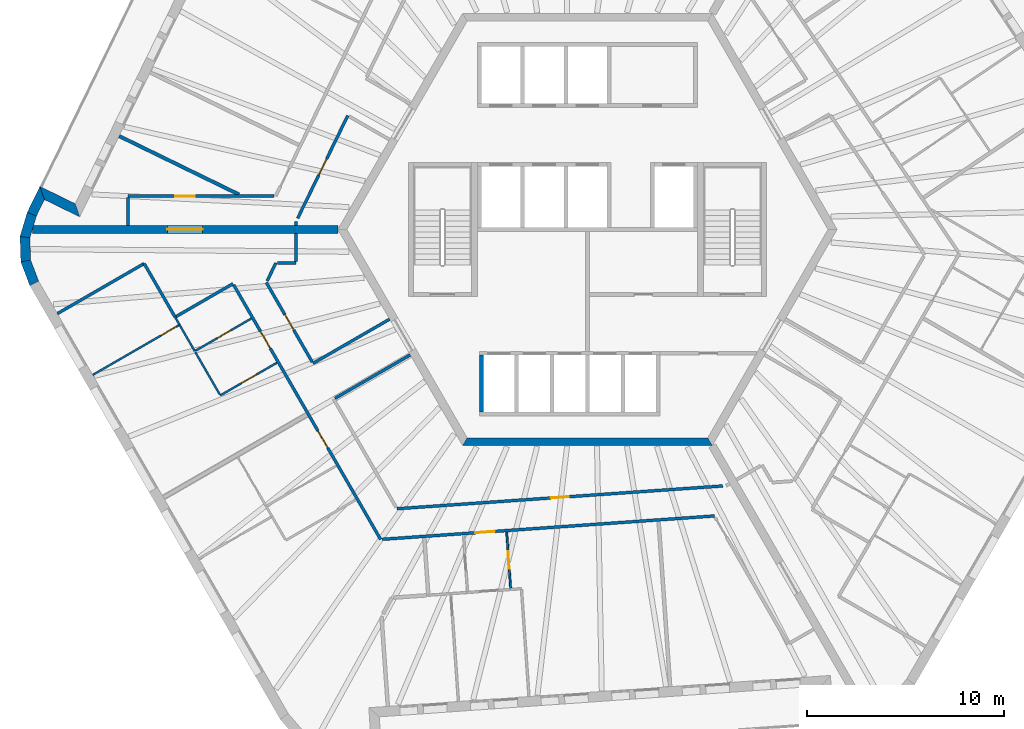
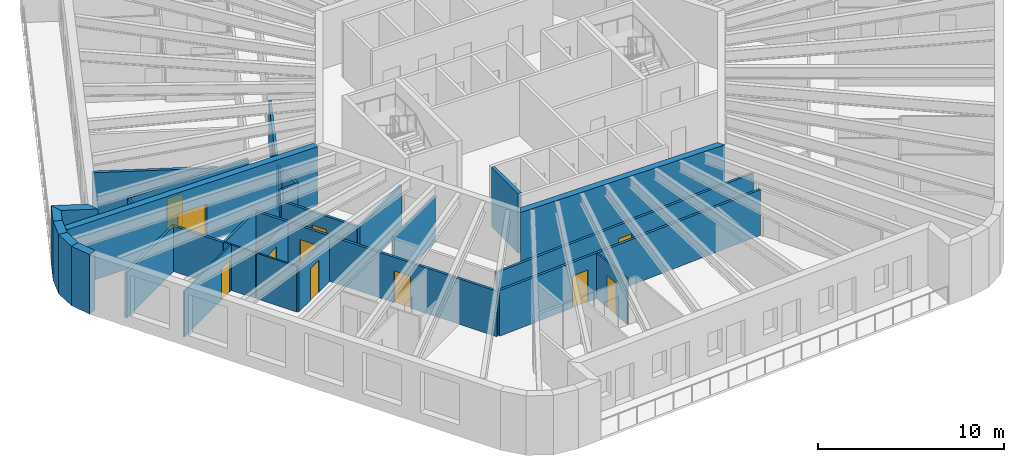
# One storey, part 4 of 12: 32 walls, 12 doors, 12 openings.
"""IFC4 building model written with IfcOpenShell, lengths in metres."""

import ifcopenshell
import ifcopenshell.guid

model = None  # the IFC model being written
_history = None  # IfcOwnerHistory: only IFC2X3 demands one
_inside = {}  # id of a spatial element -> (the spatial element, [elements in it])
_under = {}  # id of a project, library or spatial element -> (it, [spatial elements below it])
_declared = {}  # id of a project -> (the project, [libraries it declares])
_typed = {}  # id of a type object -> (the type object, [elements of that type])
_made_of = {}  # id of a material, layer set ... -> (it, [elements and type objects made of it])


def new_model(schema):
    """Start an empty IFC model of exactly this schema.

    Asked for "IFC4X3", IfcOpenShell would pick the latest addendum, in which some entities
    have other attributes; the version numbers below select the first issue.
    IFC2X3 requires an IfcOwnerHistory on every rooted entity: one is made here for all.
    """
    global model, _history
    if schema == "IFC4X3":
        model = ifcopenshell.file(schema_version=(4, 3, 0, 0))
    else:
        model = ifcopenshell.file(schema=schema)
    _inside.clear()
    _under.clear()
    _declared.clear()
    _typed.clear()
    _made_of.clear()
    _history = None
    if model.schema == "IFC2X3":
        org = make("IfcOrganization", Name="unknown")
        user = make(
            "IfcPersonAndOrganization",
            ThePerson=make("IfcPerson", FamilyName="unknown"),
            TheOrganization=org,
        )
        app = make(
            "IfcApplication",
            ApplicationDeveloper=org,
            Version="unknown",
            ApplicationFullName="unknown",
            ApplicationIdentifier="unknown",
        )
        _history = make(
            "IfcOwnerHistory",
            OwningUser=user,
            OwningApplication=app,
            ChangeAction="ADDED",
            CreationDate=0,
        )
    return model


def make(cls, **values):
    """One entity of the class cls with the attributes given. An attribute that is None is left unset."""
    return model.create_entity(
        cls, **{name: value for name, value in values.items() if value is not None}
    )


def rooted(cls, **values):
    """An entity with a GlobalId (a new one), such as an element, a storey or a relation."""
    return make(cls, GlobalId=ifcopenshell.guid.new(), OwnerHistory=_history, **values)


def si_unit(unit_type, name, prefix=None):
    """IfcSIUnit, for example si_unit("LENGTHUNIT", "METRE", prefix="MILLI")."""
    return make("IfcSIUnit", UnitType=unit_type, Prefix=prefix, Name=name)


def assignment(units):
    """IfcUnitAssignment: the units of a project."""
    return None if units is None else make("IfcUnitAssignment", Units=units)


def point(xyz):
    """IfcCartesianPoint."""
    return None if xyz is None else make("IfcCartesianPoint", Coordinates=xyz)


def direction(xyz):
    """IfcDirection."""
    return None if xyz is None else make("IfcDirection", DirectionRatios=xyz)


def frame(location, z_axis=None, x_axis=None):
    """IfcAxis2Placement3D, a coordinate frame: its origin and axes. An axis left out is left unset."""
    return make(
        "IfcAxis2Placement3D",
        Location=point(location),
        Axis=direction(z_axis),
        RefDirection=direction(x_axis),
    )


def frame_2d(location, x_axis=None):
    """IfcAxis2Placement2D, a coordinate frame in the plane: its origin and x axis."""
    return make(
        "IfcAxis2Placement2D", Location=point(location), RefDirection=direction(x_axis)
    )


def origin():
    """The frame at (0, 0, 0) with its axes left unset."""
    return frame((0.0, 0.0, 0.0))


def place(relative_to, where):
    """IfcLocalPlacement: puts the frame where relative to a parent placement (None: the world)."""
    return make(
        "IfcLocalPlacement", PlacementRelTo=relative_to, RelativePlacement=where
    )


def context(
    kind, dimensions, precision=None, world=None, true_north=None, identifier=None
):
    """IfcGeometricRepresentationContext, for example the 3D "Model" context."""
    return make(
        "IfcGeometricRepresentationContext",
        ContextIdentifier=identifier,
        ContextType=kind,
        CoordinateSpaceDimension=dimensions,
        Precision=precision,
        WorldCoordinateSystem=world,
        TrueNorth=true_north,
    )


def subcontext(parent, identifier, kind, view, scale=None):
    """IfcGeometricRepresentationSubContext, for example "Body" below "Model"."""
    return make(
        "IfcGeometricRepresentationSubContext",
        ContextIdentifier=identifier,
        ContextType=kind,
        ParentContext=parent,
        TargetScale=scale,
        TargetView=view,
    )


def project(units=None, contexts=None):
    """IfcProject with its units and contexts."""
    return rooted(
        "IfcProject",
        Name="project",
        RepresentationContexts=contexts,
        UnitsInContext=assignment(units),
    )


def spatial(cls, under=None, at=None, **own):
    """A site, building, storey or space (cls), placed at a placement, below another one or the project."""
    s = rooted(cls, ObjectPlacement=at, **own)
    if under is not None:
        _under.setdefault(under.id(), (under, []))[1].append(s)
    return s


def polyline(points):
    """IfcPolyline through the points."""
    return make("IfcPolyline", Points=[point(p) for p in points])


def profile(cls, at=None, kind="AREA", **sizes):
    """A parametric profile (cls). Its sizes go by their IFC names, for example OverallWidth=200.0."""
    return make(cls, ProfileType=kind, Position=at, **sizes)


def rectangle(**sizes):
    """IfcRectangleProfileDef."""
    return profile("IfcRectangleProfileDef", **sizes)


def outline(outer, holes=None, kind="AREA"):
    """IfcArbitraryClosedProfileDef: a profile drawn as a closed curve; with holes, ...WithVoids."""
    if holes is None:
        return make("IfcArbitraryClosedProfileDef", ProfileType=kind, OuterCurve=outer)
    return make(
        "IfcArbitraryProfileDefWithVoids",
        ProfileType=kind,
        OuterCurve=outer,
        InnerCurves=holes,
    )


def extrude(swept, where, along, depth):
    """IfcExtrudedAreaSolid: the profile swept, set in the frame where, extruded along a direction by depth."""
    return make(
        "IfcExtrudedAreaSolid",
        SweptArea=swept,
        Position=where,
        ExtrudedDirection=direction(along),
        Depth=depth,
    )


def shape(context_of_items, identifier, shape_type, items):
    """IfcShapeRepresentation: the items that make up one representation, for example the "Body"."""
    return make(
        "IfcShapeRepresentation",
        ContextOfItems=context_of_items,
        RepresentationIdentifier=identifier,
        RepresentationType=shape_type,
        Items=items,
    )


def material(Name=None, Category=None):
    """IfcMaterial."""
    return make("IfcMaterial", Name=Name, Category=Category)


def layer(
    of_material, thickness, ventilated=None, Name=None, Category=None, Priority=None
):
    """IfcMaterialLayer: one layer of a wall or slab, of a material (None: an air gap)."""
    return make(
        "IfcMaterialLayer",
        Material=of_material,
        LayerThickness=thickness,
        IsVentilated=ventilated,
        Name=Name,
        Category=Category,
        Priority=Priority,
    )


def layer_set(layers, Name=None):
    """IfcMaterialLayerSet."""
    return make("IfcMaterialLayerSet", MaterialLayers=layers, LayerSetName=Name)


def made_of(thing, what):
    """Note that an element or type object is made of a material, layer set ...; save() writes the relation."""
    if what is not None:
        _made_of.setdefault(what.id(), (what, []))[1].append(thing)
    return thing


def type_object(cls, material=None, **own):
    """A type object (cls), such as IfcWallType, which elements share."""
    return made_of(rooted(cls, **own), material)


def element(
    cls,
    number,
    at=None,
    inside=None,
    cuts=None,
    type_object=None,
    material=None,
    context=None,
    identifier="Body",
    shape_type=None,
    held_by="IfcProductDefinitionShape",
    body=None,
    shapes=None,
    **own,
):
    """One element of the class cls, such as IfcWall. Its Tag is "e" and its number.

    at: its placement. inside: the storey or other place that contains it. cuts: it is an
    opening in that element (IfcRelVoidsElement). A single representation is given by context,
    identifier, shape_type and body (its items); several are given by shapes. held_by: the class
    of the entity that holds the representations. save() writes the other relations.
    """
    e = rooted(cls, Tag="e%d" % number, ObjectPlacement=at, **own)
    if body is not None:
        shapes = [shape(context, identifier, shape_type, body)]
    if shapes is not None:
        e.Representation = make(held_by, Representations=shapes)
    if inside is not None:
        _inside.setdefault(inside.id(), (inside, []))[1].append(e)
    if cuts is not None:
        rooted(
            "IfcRelVoidsElement", RelatingBuildingElement=cuts, RelatedOpeningElement=e
        )
    if type_object is not None:
        _typed.setdefault(type_object.id(), (type_object, []))[1].append(e)
    return made_of(e, material)


def fill(opening, filler):
    """IfcRelFillsElement: the door or window that sits in an opening."""
    return rooted(
        "IfcRelFillsElement",
        RelatingOpeningElement=opening,
        RelatedBuildingElement=filler,
    )


def aggregate(whole, parts):
    """IfcRelAggregates: a whole, such as a stair, and the parts it consists of."""
    return rooted("IfcRelAggregates", RelatingObject=whole, RelatedObjects=parts)


def save(model, path):
    """Write the relations noted so far, then the file.

    IfcRelAggregates (storeys below a building ...), IfcRelContainedInSpatialStructure (elements
    in a storey), IfcRelDefinesByType, IfcRelAssociatesMaterial and IfcRelDeclares: one each for
    every whole, place, type object, material and project.
    """
    for whole, parts in _under.values():
        aggregate(whole, parts)
    for where, things in _inside.values():
        rooted(
            "IfcRelContainedInSpatialStructure",
            RelatedElements=things,
            RelatingStructure=where,
        )
    for kind, things in _typed.values():
        rooted("IfcRelDefinesByType", RelatedObjects=things, RelatingType=kind)
    for what, things in _made_of.values():
        rooted("IfcRelAssociatesMaterial", RelatedObjects=things, RelatingMaterial=what)
    for by, libraries in _declared.values():
        rooted("IfcRelDeclares", RelatingContext=by, RelatedDefinitions=libraries)
    model.write(path)


model = new_model("IFC4")

# Units and contexts
model_context = context("Model", 3, precision=1e-05, world=origin(), true_north=direction((0.0, 1.0)))
body_context = subcontext(model_context, "Body", "Model", "MODEL_VIEW")
ifc_project = project(units=[si_unit("LENGTHUNIT", "METRE"), si_unit("AREAUNIT", "SQUARE_METRE"), si_unit("VOLUMEUNIT", "CUBIC_METRE"), si_unit("PLANEANGLEUNIT", "RADIAN"), si_unit("MASSUNIT", "GRAM", prefix="KILO")], contexts=[model_context])

# Site, building, storey
site_placement = place(None, origin())
site = spatial("IfcSite", under=ifc_project, at=site_placement, CompositionType="ELEMENT")
building_placement = place(site_placement, origin())
building = spatial("IfcBuilding", under=site, at=building_placement, Name="Tarnside Tower", CompositionType="ELEMENT")
storey_placement = place(building_placement, frame((0.0, 0.0, 299.10009765625)))
storey = spatial("IfcBuildingStorey", under=building, at=storey_placement, Name="L72", CompositionType="ELEMENT", Elevation=299.10009765625)

# Wall
ifc_material_1 = material(Name="Gypsum board partition on steel studs", Category="steel")
ifc_layer_1 = layer(ifc_material_1, 0.10009765625)
ifc_layer_set_1 = layer_set([ifc_layer_1], Name="Bathroom wall 100")
wall_type_1 = type_object("IfcWallType", Name="Bathroom wall 100", PredefinedType="PARTITIONING", material=ifc_layer_set_1)
wall_1_placement = place(storey_placement, frame((-19.980224609375, -6.193115234375, 0.0), z_axis=(0.0, 0.0, 1.0), x_axis=(-0.500067724834, 0.865986299303, 0.0)))
element("IfcWall", 1, at=wall_1_placement, inside=storey, type_object=wall_type_1, Name="Bathroom wall 23114", PredefinedType="PARTITIONING", context=body_context, shape_type="SweptSolid", body=[
    extrude(rectangle(XDim=1.550537109375, YDim=0.10009765625, at=frame_2d((0.775390625, 0.0))), origin(), (0.0, 0.0, 1.0), 2.98779296875),
])

# Wall, opening, door
wall_2_placement = place(storey_placement, frame((-17.1005859375, -4.53076171875, 0.0), z_axis=(0.0, 0.0, 1.0), x_axis=(-0.866046559086, -0.499963356153, 0.0)))
wall_2 = element("IfcWall", 2, at=wall_2_placement, inside=storey, type_object=wall_type_1, Name="Bathroom wall 23118", PredefinedType="PARTITIONING", context=body_context, shape_type="SweptSolid", body=[
    extrude(rectangle(XDim=3.275146484375, YDim=0.10009765625, at=frame_2d((1.6376953125, 0.0))), origin(), (0.0, 0.0, 1.0), 2.98779296875),
])
opening_1_placement = place(wall_2_placement, frame((1.22509765625, 0.0, 0.0)))
opening_1 = element("IfcOpeningElement", 3, at=opening_1_placement, cuts=wall_2, Name="Opening D-B1", PredefinedType="OPENING", context=body_context, shape_type="SweptSolid", body=[
    extrude(rectangle(XDim=0.800048828125, YDim=2.10009765625, at=frame_2d((0.39990234375, 1.050048828125))), frame((0.0, 0.06005859375, 0.0), z_axis=(0.0, -1.0, 0.0), x_axis=(1.0, 0.0, 0.0)), (0.0, 0.0, 1.0), 0.1201171875),
])
ifc_material_2 = material(Name="Timber door leaf", Category="wood")
door_type_1 = type_object("IfcDoorType", Name="Bathroom door 800", OperationType="NOTDEFINED", PredefinedType="DOOR", material=ifc_material_2)
door_1_placement = place(opening_1_placement, origin())
door_1 = element("IfcDoor", 4, at=door_1_placement, inside=storey, type_object=door_type_1, Name="Bathroom door 23023", OperationType="SINGLE_SWING_RIGHT", OverallHeight=2.10009765625, OverallWidth=0.800048828125, PredefinedType="DOOR", context=body_context, shape_type="SweptSolid", body=[
    extrude(rectangle(XDim=0.800048828125, YDim=2.10009765625, at=frame_2d((0.39990234375, 1.050048828125))), frame((0.0, 0.02490234375, 0.0), z_axis=(0.0, -1.0, 0.0), x_axis=(1.0, 0.0, 0.0)), (0.0, 0.0, 1.0), 0.050048828125),
])
fill(opening_1, door_1)

# Walls
wall_3_placement = place(storey_placement, frame((-20.981201171875, -4.45947265625, 0.0), z_axis=(0.0, 0.0, 1.0), x_axis=(0.499846793097, -0.866113839764, 0.0)))
element("IfcWall", 5, at=wall_3_placement, inside=storey, type_object=wall_type_1, Name="Bathroom wall 23119", PredefinedType="PARTITIONING", context=body_context, shape_type="SweptSolid", body=[
    extrude(rectangle(XDim=0.453369140625, YDim=0.10009765625, at=frame_2d((0.2265625, 0.0))), origin(), (0.0, 0.0, 1.0), 2.98779296875),
])
ifc_material_3 = material(Name="Concrete C60/75", Category="concrete")
ifc_layer_2 = layer(ifc_material_3, 0.39990234375)
ifc_layer_set_2 = layer_set([ifc_layer_2], Name="Core wall Z3 400 C60/75")
wall_type_2 = type_object("IfcWallType", Name="Core wall Z3 400 C60/75", PredefinedType="SHEAR", material=ifc_layer_set_2)
wall_4_placement = place(storey_placement, frame((-6.2353515625, -10.800048828125, -0.150146484375), z_axis=(0.0, 0.0, 1.0), x_axis=(1.0, 0.0, 0.0)))
element("IfcWall", 6, at=wall_4_placement, inside=storey, type_object=wall_type_2, Name="L72 core wall face 4", PredefinedType="SHEAR", context=body_context, shape_type="SweptSolid", body=[
    extrude(outline(polyline([(-0.115478515625, -0.199951171875), (12.586181640625, -0.199951171875), (12.355224609375, 0.199951171875), (0.115478515625, 0.199951171875), (-0.115478515625, -0.199951171875)])), origin(), (0.0, 0.0, 1.0), 3.900146484375),
])

# Wall, opening, door
wall_5_placement = place(storey_placement, frame((-12.70166015625, 0.0, -0.150146484375), z_axis=(0.0, 0.0, 1.0), x_axis=(-1.0, 0.0, 0.0)))
wall_5 = element("IfcWall", 7, at=wall_5_placement, inside=storey, type_object=wall_type_2, Name="L72 spine wall 2", PredefinedType="SHEAR", context=body_context, shape_type="SweptSolid", body=[
    extrude(rectangle(XDim=15.54443359375, YDim=0.39990234375, at=frame_2d((7.772216796875, 0.0))), origin(), (0.0, 0.0, 1.0), 3.900146484375),
])
opening_2_placement = place(wall_5_placement, frame((6.872314453125, 0.0, 0.14990234375)))
opening_2 = element("IfcOpeningElement", 8, at=opening_2_placement, cuts=wall_5, Name="Opening CD-SPN", PredefinedType="OPENING", context=body_context, shape_type="SweptSolid", body=[
    extrude(rectangle(XDim=1.800048828125, YDim=2.39990234375, at=frame_2d((0.89990234375, 1.199951171875))), frame((0.0, 0.2099609375, 0.0), z_axis=(0.0, -1.0, 0.0), x_axis=(1.0, 0.0, 0.0)), (0.0, 0.0, 1.0), 0.419921875),
])
ifc_material_4 = material(Name="Steel fire door", Category="steel")
door_type_2 = type_object("IfcDoorType", Name="Spine passage double door FD60 1800x2400", OperationType="NOTDEFINED", PredefinedType="DOOR", material=ifc_material_4)
door_2_placement = place(opening_2_placement, origin())
door_2 = element("IfcDoor", 9, at=door_2_placement, inside=storey, type_object=door_type_2, Name="L72 spine passage door 2", OperationType="DOUBLE_DOOR_SINGLE_SWING", OverallHeight=2.39990234375, OverallWidth=1.800048828125, PredefinedType="DOOR", context=body_context, shape_type="SweptSolid", body=[
    extrude(rectangle(XDim=1.800048828125, YDim=2.39990234375, at=frame_2d((0.89990234375, 1.199951171875))), frame((0.0, 0.02490234375, 0.0), z_axis=(0.0, -1.0, 0.0), x_axis=(1.0, 0.0, 0.0)), (0.0, 0.0, 1.0), 0.050048828125),
])
fill(opening_2, door_2)

ifc_layer_3 = layer(ifc_material_1, 0.14990234375)
ifc_layer_set_3 = layer_set([ifc_layer_3], Name="Corridor wall 150 EI 60")
wall_type_3 = type_object("IfcWallType", Name="Corridor wall 150 EI 60", PredefinedType="PARTITIONING", material=ifc_layer_set_3)
wall_6_placement = place(storey_placement, frame((-15.943359375, 1.699951171875, 0.0), z_axis=(0.0, 0.0, 1.0), x_axis=(-1.0, 0.0, 0.0)))
wall_6 = element("IfcWall", 10, at=wall_6_placement, inside=storey, type_object=wall_type_3, Name="Corridor wall 23016", PredefinedType="PARTITIONING", context=body_context, shape_type="SweptSolid", body=[
    extrude(rectangle(XDim=7.4306640625, YDim=0.14990234375, at=frame_2d((3.71533203125, 0.0))), origin(), (0.0, 0.0, 1.0), 2.98779296875),
])
opening_3_placement = place(wall_6_placement, frame((4.02978515625, 0.0, 0.0)))
opening_3 = element("IfcOpeningElement", 11, at=opening_3_placement, cuts=wall_6, Name="Opening D-E1", PredefinedType="OPENING", context=body_context, shape_type="SweptSolid", body=[
    extrude(rectangle(XDim=1.0, YDim=2.10009765625, at=frame_2d((0.5, 1.050048828125))), frame((0.0, 0.0849609375, 0.0), z_axis=(0.0, -1.0, 0.0), x_axis=(1.0, 0.0, 0.0)), (0.0, 0.0, 1.0), 0.169921875),
])
door_type_3 = type_object("IfcDoorType", Name="Unit entrance door 1000 FD30S", OperationType="NOTDEFINED", PredefinedType="DOOR", material=ifc_material_2)
door_3_placement = place(opening_3_placement, origin())
door_3 = element("IfcDoor", 12, at=door_3_placement, inside=storey, type_object=door_type_3, Name="Unit door 23021", OperationType="SINGLE_SWING_LEFT", OverallHeight=2.10009765625, OverallWidth=1.0, PredefinedType="DOOR", context=body_context, shape_type="SweptSolid", body=[
    extrude(rectangle(XDim=1.0, YDim=2.10009765625, at=frame_2d((0.5, 1.050048828125))), frame((0.0, 0.02490234375, 0.0), z_axis=(0.0, -1.0, 0.0), x_axis=(1.0, 0.0, 0.0)), (0.0, 0.0, 1.0), 0.050048828125),
])
fill(opening_3, door_3)

# Walls
wall_7_placement = place(storey_placement, frame((-23.3740234375, 1.625, 0.0), z_axis=(0.0, 0.0, 1.0), x_axis=(0.0, -1.0, 0.0)))
element("IfcWall", 13, at=wall_7_placement, inside=storey, type_object=wall_type_3, Name="Corridor wall 23018", PredefinedType="PARTITIONING", context=body_context, shape_type="SweptSolid", body=[
    extrude(rectangle(XDim=1.425048828125, YDim=0.14990234375, at=frame_2d((0.71240234375, 0.0))), origin(), (0.0, 0.0, 1.0), 2.98779296875),
])
wall_8_placement = place(storey_placement, frame((-14.820068359375, 0.199951171875, 0.0), z_axis=(0.0, 0.0, 1.0), x_axis=(0.0, 1.0, 0.0)))
element("IfcWall", 14, at=wall_8_placement, inside=storey, type_object=wall_type_3, Name="Corridor wall 23025", PredefinedType="PARTITIONING", context=body_context, shape_type="SweptSolid", body=[
    extrude(rectangle(XDim=0.210205078125, YDim=0.14990234375, at=frame_2d((0.10498046875, 0.0))), origin(), (0.0, 0.0, 1.0), 2.98779296875),
])

# Wall, opening, door
wall_9_placement = place(storey_placement, frame((-14.7451171875, 0.563720703125, 0.0), z_axis=(0.0, 0.0, 1.0), x_axis=(0.438348416625, 0.898805132185, 0.0)))
wall_9 = element("IfcWall", 15, at=wall_9_placement, inside=storey, type_object=wall_type_3, Name="Corridor wall 23026", PredefinedType="PARTITIONING", context=body_context, shape_type="SweptSolid", body=[
    extrude(rectangle(XDim=5.819580078125, YDim=0.14990234375, at=frame_2d((2.90966796875, 0.0))), origin(), (0.0, 0.0, 1.0), 2.98779296875),
])
opening_4_placement = place(wall_9_placement, frame((2.459716796875, 0.0, 0.0)))
opening_4 = element("IfcOpeningElement", 16, at=opening_4_placement, cuts=wall_9, Name="Opening D-S1", PredefinedType="OPENING", context=body_context, shape_type="SweptSolid", body=[
    extrude(rectangle(XDim=0.89990234375, YDim=2.10009765625, at=frame_2d((0.449951171875, 1.050048828125))), frame((0.0, 0.0849609375, 0.0), z_axis=(0.0, -1.0, 0.0), x_axis=(1.0, 0.0, 0.0)), (0.0, 0.0, 1.0), 0.169921875),
])
door_type_4 = type_object("IfcDoorType", Name="Service room door 900 FD30S", OperationType="NOTDEFINED", PredefinedType="DOOR", material=ifc_material_2)
door_4_placement = place(opening_4_placement, origin())
door_4 = element("IfcDoor", 17, at=door_4_placement, inside=storey, type_object=door_type_4, Name="Service door 23059", OperationType="SINGLE_SWING_RIGHT", OverallHeight=2.10009765625, OverallWidth=0.89990234375, PredefinedType="DOOR", context=body_context, shape_type="SweptSolid", body=[
    extrude(rectangle(XDim=0.89990234375, YDim=2.10009765625, at=frame_2d((0.449951171875, 1.050048828125))), frame((0.0, 0.02490234375, 0.0), z_axis=(0.0, -1.0, 0.0), x_axis=(1.0, 0.0, 0.0)), (0.0, 0.0, 1.0), 0.050048828125),
])
fill(opening_4, door_4)

# Wall, openings, doors
wall_10_placement = place(storey_placement, frame((-17.998291015625, -2.826171875, 0.0), z_axis=(0.0, 0.0, 1.0), x_axis=(0.500003306199, -0.866023494941, 0.0)))
wall_10 = element("IfcWall", 18, at=wall_10_placement, inside=storey, type_object=wall_type_3, Name="Corridor wall 23028", PredefinedType="PARTITIONING", context=body_context, shape_type="SweptSolid", body=[
    extrude(rectangle(XDim=14.94921875, YDim=0.14990234375, at=frame_2d((7.474609375, 0.0))), origin(), (0.0, 0.0, 1.0), 2.98779296875),
])
opening_5_placement = place(wall_10_placement, frame((2.72509765625, 0.0, 0.0)))
opening_5 = element("IfcOpeningElement", 19, at=opening_5_placement, cuts=wall_10, Name="Opening D-E1", PredefinedType="OPENING", context=body_context, shape_type="SweptSolid", body=[
    extrude(rectangle(XDim=1.0, YDim=2.10009765625, at=frame_2d((0.5, 1.050048828125))), frame((0.0, 0.0849609375, 0.0), z_axis=(0.0, -1.0, 0.0), x_axis=(1.0, 0.0, 0.0)), (0.0, 0.0, 1.0), 0.169921875),
])
opening_6_placement = place(wall_10_placement, frame((8.576416015625, 0.0, 0.0)))
opening_6 = element("IfcOpeningElement", 20, at=opening_6_placement, cuts=wall_10, Name="Opening D-E1", PredefinedType="OPENING", context=body_context, shape_type="SweptSolid", body=[
    extrude(rectangle(XDim=1.0, YDim=2.10009765625, at=frame_2d((0.5, 1.050048828125))), frame((0.0, 0.0849609375, 0.0), z_axis=(0.0, -1.0, 0.0), x_axis=(1.0, 0.0, 0.0)), (0.0, 0.0, 1.0), 0.169921875),
])
door_5_placement = place(opening_5_placement, origin())
door_5 = element("IfcDoor", 21, at=door_5_placement, inside=storey, type_object=door_type_3, Name="Unit door 23022", OperationType="SINGLE_SWING_RIGHT", OverallHeight=2.10009765625, OverallWidth=1.0, PredefinedType="DOOR", context=body_context, shape_type="SweptSolid", body=[
    extrude(rectangle(XDim=1.0, YDim=2.10009765625, at=frame_2d((0.5, 1.050048828125))), frame((0.0, 0.02490234375, 0.0), z_axis=(0.0, -1.0, 0.0), x_axis=(1.0, 0.0, 0.0)), (0.0, 0.0, 1.0), 0.050048828125),
])
fill(opening_5, door_5)
door_6_placement = place(opening_6_placement, origin())
door_6 = element("IfcDoor", 22, at=door_6_placement, inside=storey, type_object=door_type_3, Name="Unit door 23026", OperationType="SINGLE_SWING_RIGHT", OverallHeight=2.10009765625, OverallWidth=1.0, PredefinedType="DOOR", context=body_context, shape_type="SweptSolid", body=[
    extrude(rectangle(XDim=1.0, YDim=2.10009765625, at=frame_2d((0.5, 1.050048828125))), frame((0.0, 0.02490234375, 0.0), z_axis=(0.0, -1.0, 0.0), x_axis=(1.0, 0.0, 0.0)), (0.0, 0.0, 1.0), 0.050048828125),
])
fill(opening_6, door_6)

# Walls
wall_11_placement = place(storey_placement, frame((-20.980224609375, -4.461181640625, 0.0), z_axis=(0.0, 0.0, 1.0), x_axis=(0.866038511948, 0.499977295307, 0.0)))
element("IfcWall", 23, at=wall_11_placement, inside=storey, type_object=wall_type_3, Name="Corridor wall 23030", PredefinedType="PARTITIONING", context=body_context, shape_type="SweptSolid", body=[
    extrude(rectangle(XDim=3.400146484375, YDim=0.14990234375, at=frame_2d((1.7001953125, 0.0))), origin(), (0.0, 0.0, 1.0), 2.98779296875),
])
wall_12_placement = place(storey_placement, frame((-26.97119140625, -4.284423828125, 0.0), z_axis=(0.0, 0.0, 1.0), x_axis=(0.866024511559, 0.500001545377, 0.0)))
element("IfcWall", 24, at=wall_12_placement, inside=storey, type_object=wall_type_3, Name="Corridor wall 23032", PredefinedType="PARTITIONING", context=body_context, shape_type="SweptSolid", body=[
    extrude(rectangle(XDim=5.0986328125, YDim=0.14990234375, at=frame_2d((2.54931640625, 0.0))), origin(), (0.0, 0.0, 1.0), 2.98779296875),
])
wall_13_placement = place(storey_placement, frame((-22.553955078125, -1.735595703125, 0.0), z_axis=(0.0, 0.0, 1.0), x_axis=(0.50003099832, -0.866007506156, 0.0)))
element("IfcWall", 25, at=wall_13_placement, inside=storey, type_object=wall_type_3, Name="Corridor wall 23033", PredefinedType="PARTITIONING", context=body_context, shape_type="SweptSolid", body=[
    extrude(rectangle(XDim=3.150634765625, YDim=0.14990234375, at=frame_2d((1.5751953125, 0.0))), origin(), (0.0, 0.0, 1.0), 2.98779296875),
])

# Wall, opening, door
wall_14_placement = place(storey_placement, frame((-10.4404296875, -15.7666015625, 0.0), z_axis=(0.0, 0.0, 1.0), x_axis=(0.997534721961, 0.070174628483, 0.0)))
wall_14 = element("IfcWall", 26, at=wall_14_placement, inside=storey, type_object=wall_type_3, Name="Corridor wall 23035", PredefinedType="PARTITIONING", context=body_context, shape_type="SweptSolid", body=[
    extrude(rectangle(XDim=16.939453125, YDim=0.14990234375, at=frame_2d((8.4697265625, 0.0))), origin(), (0.0, 0.0, 1.0), 2.98779296875),
])
opening_7_placement = place(wall_14_placement, frame((4.74169921875, 0.0, 0.0)))
opening_7 = element("IfcOpeningElement", 27, at=opening_7_placement, cuts=wall_14, Name="Opening D-E1", PredefinedType="OPENING", context=body_context, shape_type="SweptSolid", body=[
    extrude(rectangle(XDim=1.0, YDim=2.10009765625, at=frame_2d((0.5, 1.050048828125))), frame((0.0, 0.0849609375, 0.0), z_axis=(0.0, -1.0, 0.0), x_axis=(1.0, 0.0, 0.0)), (0.0, 0.0, 1.0), 0.169921875),
])
door_7_placement = place(opening_7_placement, origin())
door_7 = element("IfcDoor", 28, at=door_7_placement, inside=storey, type_object=door_type_3, Name="Unit door 23031", OperationType="SINGLE_SWING_LEFT", OverallHeight=2.10009765625, OverallWidth=1.0, PredefinedType="DOOR", context=body_context, shape_type="SweptSolid", body=[
    extrude(rectangle(XDim=1.0, YDim=2.10009765625, at=frame_2d((0.5, 1.050048828125))), frame((0.0, 0.02490234375, 0.0), z_axis=(0.0, -1.0, 0.0), x_axis=(1.0, 0.0, 0.0)), (0.0, 0.0, 1.0), 0.050048828125),
])
fill(opening_7, door_7)

# Wall
wall_15_placement = place(storey_placement, frame((-10.065673828125, -4.565673828125, 0.0), z_axis=(0.0, 0.0, 1.0), x_axis=(-0.866031096941, -0.499990139034, 0.0)))
element("IfcWall", 29, at=wall_15_placement, inside=storey, type_object=wall_type_3, Name="Corridor wall 23044", PredefinedType="PARTITIONING", context=body_context, shape_type="SweptSolid", body=[
    extrude(rectangle(XDim=4.5, YDim=0.14990234375, at=frame_2d((2.25, 0.0))), origin(), (0.0, 0.0, 1.0), 2.98779296875),
])

# Wall, opening, door
wall_16_placement = place(storey_placement, frame((-14.000244140625, -6.750732421875, 0.0), z_axis=(0.0, 0.0, 1.0), x_axis=(-0.500008739126, 0.866020358189, 0.0)))
wall_16 = element("IfcWall", 30, at=wall_16_placement, inside=storey, type_object=wall_type_3, Name="Corridor wall 23045", PredefinedType="PARTITIONING", context=body_context, shape_type="SweptSolid", body=[
    extrude(rectangle(XDim=4.67529296875, YDim=0.14990234375, at=frame_2d((2.337646484375, 0.0))), origin(), (0.0, 0.0, 1.0), 2.98779296875),
])
opening_8_placement = place(wall_16_placement, frame((1.8876953125, 0.0, 0.0)))
opening_8 = element("IfcOpeningElement", 31, at=opening_8_placement, cuts=wall_16, Name="Opening D-S1", PredefinedType="OPENING", context=body_context, shape_type="SweptSolid", body=[
    extrude(rectangle(XDim=0.89990234375, YDim=2.10009765625, at=frame_2d((0.449951171875, 1.050048828125))), frame((0.0, 0.0849609375, 0.0), z_axis=(0.0, -1.0, 0.0), x_axis=(1.0, 0.0, 0.0)), (0.0, 0.0, 1.0), 0.169921875),
])
door_8_placement = place(opening_8_placement, origin())
door_8 = element("IfcDoor", 32, at=door_8_placement, inside=storey, type_object=door_type_4, Name="Service door 23060", OperationType="SINGLE_SWING_RIGHT", OverallHeight=2.10009765625, OverallWidth=0.89990234375, PredefinedType="DOOR", context=body_context, shape_type="SweptSolid", body=[
    extrude(rectangle(XDim=0.89990234375, YDim=2.10009765625, at=frame_2d((0.449951171875, 1.050048828125))), frame((0.0, 0.02490234375, 0.0), z_axis=(0.0, -1.0, 0.0), x_axis=(1.0, 0.0, 0.0)), (0.0, 0.0, 1.0), 0.050048828125),
])
fill(opening_8, door_8)

# Walls
wall_17_placement = place(storey_placement, frame((-16.29833984375, -2.62060546875, 0.0), z_axis=(0.0, 0.0, 1.0), x_axis=(0.438325013788, 0.898816545402, 0.0)))
element("IfcWall", 33, at=wall_17_placement, inside=storey, type_object=wall_type_3, Name="Corridor wall 23046", PredefinedType="PARTITIONING", context=body_context, shape_type="SweptSolid", body=[
    extrude(rectangle(XDim=1.0244140625, YDim=0.14990234375, at=frame_2d((0.51220703125, 0.0))), origin(), (0.0, 0.0, 1.0), 2.98779296875),
])
wall_18_placement = place(storey_placement, frame((-15.765869140625, -1.699951171875, 0.0), z_axis=(0.0, 0.0, 1.0), x_axis=(1.0, 0.0, 0.0)))
element("IfcWall", 34, at=wall_18_placement, inside=storey, type_object=wall_type_3, Name="Corridor wall 23047", PredefinedType="PARTITIONING", context=body_context, shape_type="SweptSolid", body=[
    extrude(rectangle(XDim=0.94580078125, YDim=0.14990234375, at=frame_2d((0.472900390625, 0.0))), origin(), (0.0, 0.0, 1.0), 2.98779296875),
])
wall_19_placement = place(storey_placement, frame((-14.820068359375, -1.625, 0.0), z_axis=(0.0, 0.0, 1.0), x_axis=(0.0, 1.0, 0.0)))
element("IfcWall", 35, at=wall_19_placement, inside=storey, type_object=wall_type_3, Name="Corridor wall 23048", PredefinedType="PARTITIONING", context=body_context, shape_type="SweptSolid", body=[
    extrude(rectangle(XDim=1.425048828125, YDim=0.14990234375, at=frame_2d((0.71240234375, 0.0))), origin(), (0.0, 0.0, 1.0), 2.98779296875),
])

# Wall, opening, door
wall_20_placement = place(storey_placement, frame((6.88427734375, -13.051513671875, 0.0), z_axis=(0.0, 0.0, 1.0), x_axis=(-0.997564224443, -0.069753982764, 0.0)))
wall_20 = element("IfcWall", 36, at=wall_20_placement, inside=storey, type_object=wall_type_3, Name="Corridor wall 23050", PredefinedType="PARTITIONING", context=body_context, shape_type="SweptSolid", body=[
    extrude(rectangle(XDim=16.6181640625, YDim=0.14990234375, at=frame_2d((8.30908203125, 0.0))), origin(), (0.0, 0.0, 1.0), 2.98779296875),
])
opening_9_placement = place(wall_20_placement, frame((7.85888671875, 0.0, 0.0)))
opening_9 = element("IfcOpeningElement", 37, at=opening_9_placement, cuts=wall_20, Name="Opening D-S1", PredefinedType="OPENING", context=body_context, shape_type="SweptSolid", body=[
    extrude(rectangle(XDim=0.89990234375, YDim=2.10009765625, at=frame_2d((0.449951171875, 1.050048828125))), frame((0.0, 0.0849609375, 0.0), z_axis=(0.0, -1.0, 0.0), x_axis=(1.0, 0.0, 0.0)), (0.0, 0.0, 1.0), 0.169921875),
])
door_9_placement = place(opening_9_placement, origin())
door_9 = element("IfcDoor", 38, at=door_9_placement, inside=storey, type_object=door_type_4, Name="Service door 23061", OperationType="SINGLE_SWING_RIGHT", OverallHeight=2.10009765625, OverallWidth=0.89990234375, PredefinedType="DOOR", context=body_context, shape_type="SweptSolid", body=[
    extrude(rectangle(XDim=0.89990234375, YDim=2.10009765625, at=frame_2d((0.449951171875, 1.050048828125))), frame((0.0, 0.02490234375, 0.0), z_axis=(0.0, -1.0, 0.0), x_axis=(1.0, 0.0, 0.0)), (0.0, 0.0, 1.0), 0.050048828125),
])
fill(opening_9, door_9)

# Walls
wall_21_placement = place(storey_placement, frame((-12.847900390625, -8.596923828125, 0.0), z_axis=(0.0, 0.0, 1.0), x_axis=(0.866017452598, 0.500013771606, 0.0)))
element("IfcWall", 39, at=wall_21_placement, inside=storey, type_object=wall_type_3, Name="Corridor wall 23052", PredefinedType="PARTITIONING", context=body_context, shape_type="SweptSolid", body=[
    extrude(rectangle(XDim=4.42529296875, YDim=0.14990234375, at=frame_2d((2.212646484375, 0.0))), origin(), (0.0, 0.0, 1.0), 2.98779296875),
])
ifc_layer_4 = layer(ifc_material_1, 0.179931640625)
ifc_layer_set_4 = layer_set([ifc_layer_4], Name="Demising wall 180 EI 60")
wall_type_4 = type_object("IfcWallType", Name="Demising wall 180 EI 60", PredefinedType="PARTITIONING", material=ifc_layer_set_4)
wall_22_placement = place(storey_placement, frame((-23.82861328125, 4.75146484375, 0.0), z_axis=(0.0, 0.0, 1.0), x_axis=(0.898785032636, -0.438389627056, 0.0)))
element("IfcWall", 40, at=wall_22_placement, inside=storey, type_object=wall_type_4, Name="Demising wall 23111", PredefinedType="PARTITIONING", context=body_context, shape_type="SweptSolid", body=[
    extrude(rectangle(XDim=6.789794921875, YDim=0.179931640625, at=frame_2d((3.39501953125, 0.0))), origin(), (0.0, 0.0, 1.0), 2.98779296875),
])
ifc_material_5 = material(Name="Concrete C40/50", Category="concrete")
ifc_layer_5 = layer(ifc_material_5, 0.199951171875)
ifc_layer_set_5 = layer_set([ifc_layer_5], Name="Lift shaft wall 200 C40/50")
wall_type_5 = type_object("IfcWallType", Name="Lift shaft wall 200 C40/50", PredefinedType="SHEAR", material=ifc_layer_set_5)
wall_23_placement = place(storey_placement, frame((-5.39990234375, -9.300048828125, -0.25), z_axis=(0.0, 0.0, 1.0), x_axis=(0.0, 1.0, 0.0)))
element("IfcWall", 41, at=wall_23_placement, inside=storey, type_object=wall_type_5, Name="L72 lift shaft partition R41", PredefinedType="SHEAR", context=body_context, shape_type="SweptSolid", body=[
    extrude(rectangle(XDim=2.900146484375, YDim=0.199951171875, at=frame_2d((1.4501953125, 0.0))), origin(), (0.0, 0.0, 1.0), 3.89990234375),
])
ifc_material_6 = material(Name="Dark zinc cladding")
ifc_layer_6 = layer(ifc_material_6, 0.10205078125)
ifc_material_7 = material(Name="Concrete C60/75 precast", Category="concrete")
ifc_layer_7 = layer(ifc_material_7, 0.298095703125)
ifc_material_8 = material(Name="Mineral wool insulation")
ifc_layer_8 = layer(ifc_material_8, 0.10009765625)
ifc_layer_set_6 = layer_set([ifc_layer_6, ifc_layer_7, ifc_layer_8], Name="Loggia wall 500 zinc faced")
wall_type_6 = type_object("IfcWallType", Name="Loggia wall 500 zinc faced", PredefinedType="SOLIDWALL", material=ifc_layer_set_6)
wall_24_placement = place(storey_placement, frame((-25.9482421875, 0.97607421875, -0.150146484375), z_axis=(0.0, 0.0, 1.0), x_axis=(-0.898802465371, 0.438353884714, 0.0)))
element("IfcWall", 42, at=wall_24_placement, inside=storey, type_object=wall_type_6, Name="Tube wall L72 F2 return 07", PredefinedType="SOLIDWALL", context=body_context, shape_type="SweptSolid", body=[
    extrude(outline(polyline([(0.25, -0.25), (2.25, -0.25), (1.75, 0.25), (-0.25, 0.25), (0.25, -0.25)])), origin(), (0.0, 0.0, 1.0), 3.900146484375),
])
wall_25_placement = place(storey_placement, frame((-27.745849609375, 1.852783203125, -0.150146484375), z_axis=(0.0, 0.0, 1.0), x_axis=(-0.438319390103, -0.898819287877, 0.0)))
element("IfcWall", 43, at=wall_25_placement, inside=storey, type_object=wall_type_6, Name="Tube wall L72 F2 stub 08", PredefinedType="SOLIDWALL", context=body_context, shape_type="SweptSolid", body=[
    extrude(outline(polyline([(-0.25, -0.25), (1.22021484375, -0.25), (1.17919921875, 0.25), (0.25, 0.25), (-0.25, -0.25)])), origin(), (0.0, 0.0, 1.0), 3.900146484375),
])

# Wall, opening, door
ifc_layer_9 = layer(ifc_material_1, 0.10009765625)
ifc_layer_set_7 = layer_set([ifc_layer_9], Name="Partition 100")
wall_type_7 = type_object("IfcWallType", Name="Partition 100", PredefinedType="PARTITIONING", material=ifc_layer_set_7)
wall_26_placement = place(storey_placement, frame((-15.80078125, -6.782470703125, 0.0), z_axis=(0.0, 0.0, 1.0), x_axis=(-0.866033959199, -0.499985181294, 0.0)))
wall_26 = element("IfcWall", 44, at=wall_26_placement, inside=storey, type_object=wall_type_7, Name="Partition wall 23112", PredefinedType="PARTITIONING", context=body_context, shape_type="SweptSolid", body=[
    extrude(rectangle(XDim=3.32470703125, YDim=0.10009765625, at=frame_2d((1.662353515625, 0.0))), origin(), (0.0, 0.0, 1.0), 2.98779296875),
])
opening_10_placement = place(wall_26_placement, frame((1.175048828125, 0.0, 0.0)))
opening_10 = element("IfcOpeningElement", 45, at=opening_10_placement, cuts=wall_26, Name="Opening D-I1", PredefinedType="OPENING", context=body_context, shape_type="SweptSolid", body=[
    extrude(rectangle(XDim=0.89990234375, YDim=2.10009765625, at=frame_2d((0.449951171875, 1.050048828125))), frame((0.0, 0.06005859375, 0.0), z_axis=(0.0, -1.0, 0.0), x_axis=(1.0, 0.0, 0.0)), (0.0, 0.0, 1.0), 0.1201171875),
])
door_type_5 = type_object("IfcDoorType", Name="Internal door 900", OperationType="NOTDEFINED", PredefinedType="DOOR", material=ifc_material_2)
door_10_placement = place(opening_10_placement, origin())
door_10 = element("IfcDoor", 46, at=door_10_placement, inside=storey, type_object=door_type_5, Name="Internal door 23024", OperationType="SINGLE_SWING_RIGHT", OverallHeight=2.10009765625, OverallWidth=0.89990234375, PredefinedType="DOOR", context=body_context, shape_type="SweptSolid", body=[
    extrude(rectangle(XDim=0.89990234375, YDim=2.10009765625, at=frame_2d((0.449951171875, 1.050048828125))), frame((0.0, 0.02490234375, 0.0), z_axis=(0.0, -1.0, 0.0), x_axis=(1.0, 0.0, 0.0)), (0.0, 0.0, 1.0), 0.050048828125),
])
fill(opening_10, door_10)

# Wall
wall_27_placement = place(storey_placement, frame((-18.705322265625, -8.401611328125, 0.0), z_axis=(0.0, 0.0, 1.0), x_axis=(-0.500004234368, 0.866022959057, 0.0)))
element("IfcWall", 47, at=wall_27_placement, inside=storey, type_object=wall_type_7, Name="Partition wall 23113", PredefinedType="PARTITIONING", context=body_context, shape_type="SweptSolid", body=[
    extrude(rectangle(XDim=2.5, YDim=0.10009765625, at=frame_2d((1.25, 0.0))), origin(), (0.0, 0.0, 1.0), 2.98779296875),
])

# Wall, opening, door
wall_28_placement = place(storey_placement, frame((-20.7978515625, -4.877197265625, 0.0), z_axis=(0.0, 0.0, 1.0), x_axis=(-0.866026981659, -0.499997267031, 0.0)))
wall_28 = element("IfcWall", 48, at=wall_28_placement, inside=storey, type_object=wall_type_7, Name="Partition wall 23115", PredefinedType="PARTITIONING", context=body_context, shape_type="SweptSolid", body=[
    extrude(rectangle(XDim=5.0498046875, YDim=0.10009765625, at=frame_2d((2.52490234375, 0.0))), origin(), (0.0, 0.0, 1.0), 2.98779296875),
])
opening_11_placement = place(wall_28_placement, frame((0.14990234375, 0.0, 0.0)))
opening_11 = element("IfcOpeningElement", 49, at=opening_11_placement, cuts=wall_28, Name="Opening D-I1", PredefinedType="OPENING", context=body_context, shape_type="SweptSolid", body=[
    extrude(rectangle(XDim=0.89990234375, YDim=2.10009765625, at=frame_2d((0.449951171875, 1.050048828125))), frame((0.0, 0.06005859375, 0.0), z_axis=(0.0, -1.0, 0.0), x_axis=(1.0, 0.0, 0.0)), (0.0, 0.0, 1.0), 0.1201171875),
])
door_11_placement = place(opening_11_placement, origin())
door_11 = element("IfcDoor", 50, at=door_11_placement, inside=storey, type_object=door_type_5, Name="Internal door 23025", OperationType="SINGLE_SWING_RIGHT", OverallHeight=2.10009765625, OverallWidth=0.89990234375, PredefinedType="DOOR", context=body_context, shape_type="SweptSolid", body=[
    extrude(rectangle(XDim=0.89990234375, YDim=2.10009765625, at=frame_2d((0.449951171875, 1.050048828125))), frame((0.0, 0.02490234375, 0.0), z_axis=(0.0, -1.0, 0.0), x_axis=(1.0, 0.0, 0.0)), (0.0, 0.0, 1.0), 0.050048828125),
])
fill(opening_11, door_11)

wall_29_placement = place(storey_placement, frame((-4.10888671875, -15.399169921875, 0.0), z_axis=(0.0, 0.0, 1.0), x_axis=(0.069781781132, -0.997562280272, 0.0)))
wall_29 = element("IfcWall", 51, at=wall_29_placement, inside=storey, type_object=wall_type_7, Name="Partition wall 23130", PredefinedType="PARTITIONING", context=body_context, shape_type="SweptSolid", body=[
    extrude(rectangle(XDim=2.9248046875, YDim=0.10009765625, at=frame_2d((1.46240234375, 0.0))), origin(), (0.0, 0.0, 1.0), 2.98779296875),
])
opening_12_placement = place(wall_29_placement, frame((0.97509765625, 0.0, 0.0)))
opening_12 = element("IfcOpeningElement", 52, at=opening_12_placement, cuts=wall_29, Name="Opening D-I1", PredefinedType="OPENING", context=body_context, shape_type="SweptSolid", body=[
    extrude(rectangle(XDim=0.89990234375, YDim=2.10009765625, at=frame_2d((0.449951171875, 1.050048828125))), frame((0.0, 0.06005859375, 0.0), z_axis=(0.0, -1.0, 0.0), x_axis=(1.0, 0.0, 0.0)), (0.0, 0.0, 1.0), 0.1201171875),
])
door_12_placement = place(opening_12_placement, origin())
door_12 = element("IfcDoor", 53, at=door_12_placement, inside=storey, type_object=door_type_5, Name="Internal door 23033", OperationType="SINGLE_SWING_RIGHT", OverallHeight=2.10009765625, OverallWidth=0.89990234375, PredefinedType="DOOR", context=body_context, shape_type="SweptSolid", body=[
    extrude(rectangle(XDim=0.89990234375, YDim=2.10009765625, at=frame_2d((0.449951171875, 1.050048828125))), frame((0.0, 0.02490234375, 0.0), z_axis=(0.0, -1.0, 0.0), x_axis=(1.0, 0.0, 0.0)), (0.0, 0.0, 1.0), 0.050048828125),
])
fill(opening_12, door_12)

# Walls
ifc_material_9 = material(Name="Facing brick", Category="masonry")
ifc_layer_10 = layer(ifc_material_9, 0.10205078125)
ifc_layer_11 = layer(ifc_material_7, 0.298095703125)
ifc_layer_12 = layer(ifc_material_8, 0.10009765625)
ifc_layer_set_8 = layer_set([ifc_layer_10, ifc_layer_11, ifc_layer_12], Name="Tube wall 500 brick faced")
wall_type_8 = type_object("IfcWallType", Name="Tube wall 500 brick faced", PredefinedType="SOLIDWALL", material=ifc_layer_set_8)
wall_30_placement = place(storey_placement, frame((-28.271728515625, 0.7744140625, -0.150146484375), z_axis=(0.0, 0.0, 1.0), x_axis=(-0.286813843218, -0.957986335674, 0.0)))
element("IfcWall", 54, at=wall_30_placement, inside=storey, type_object=wall_type_8, Name="Tube wall L72 F2 chord 09", PredefinedType="SOLIDWALL", context=body_context, shape_type="SweptSolid", body=[
    extrude(outline(polyline([(-0.0205078125, -0.25), (1.25732421875, -0.25), (1.17529296875, 0.25), (0.0205078125, 0.25), (-0.0205078125, -0.25)])), origin(), (0.0, 0.0, 1.0), 3.900146484375),
])
wall_31_placement = place(storey_placement, frame((-28.62060546875, -0.390869140625, -0.150146484375), z_axis=(0.0, 0.0, 1.0), x_axis=(0.034925456137, -0.999389920158, 0.0)))
element("IfcWall", 55, at=wall_31_placement, inside=storey, type_object=wall_type_8, Name="Tube wall L72 F2 chord 10", PredefinedType="SOLIDWALL", context=body_context, shape_type="SweptSolid", body=[
    extrude(outline(polyline([(-0.041015625, -0.25), (1.25732421875, -0.25), (1.17529296875, 0.25), (0.041015625, 0.25), (-0.041015625, -0.25)])), origin(), (0.0, 0.0, 1.0), 3.900146484375),
])
wall_32_placement = place(storey_placement, frame((-28.578125, -1.6064453125, -0.150146484375), z_axis=(0.0, 0.0, 1.0), x_axis=(0.352838463023, -0.935684251771, 0.0)))
element("IfcWall", 56, at=wall_32_placement, inside=storey, type_object=wall_type_8, Name="Tube wall L72 F2 chord 11", PredefinedType="SOLIDWALL", context=body_context, shape_type="SweptSolid", body=[
    extrude(outline(polyline([(-0.041015625, -0.25), (1.23681640625, -0.25), (1.19580078125, 0.25), (0.041015625, 0.25), (-0.041015625, -0.25)])), origin(), (0.0, 0.0, 1.0), 3.900146484375),
])

save(model, "model.ifc")
